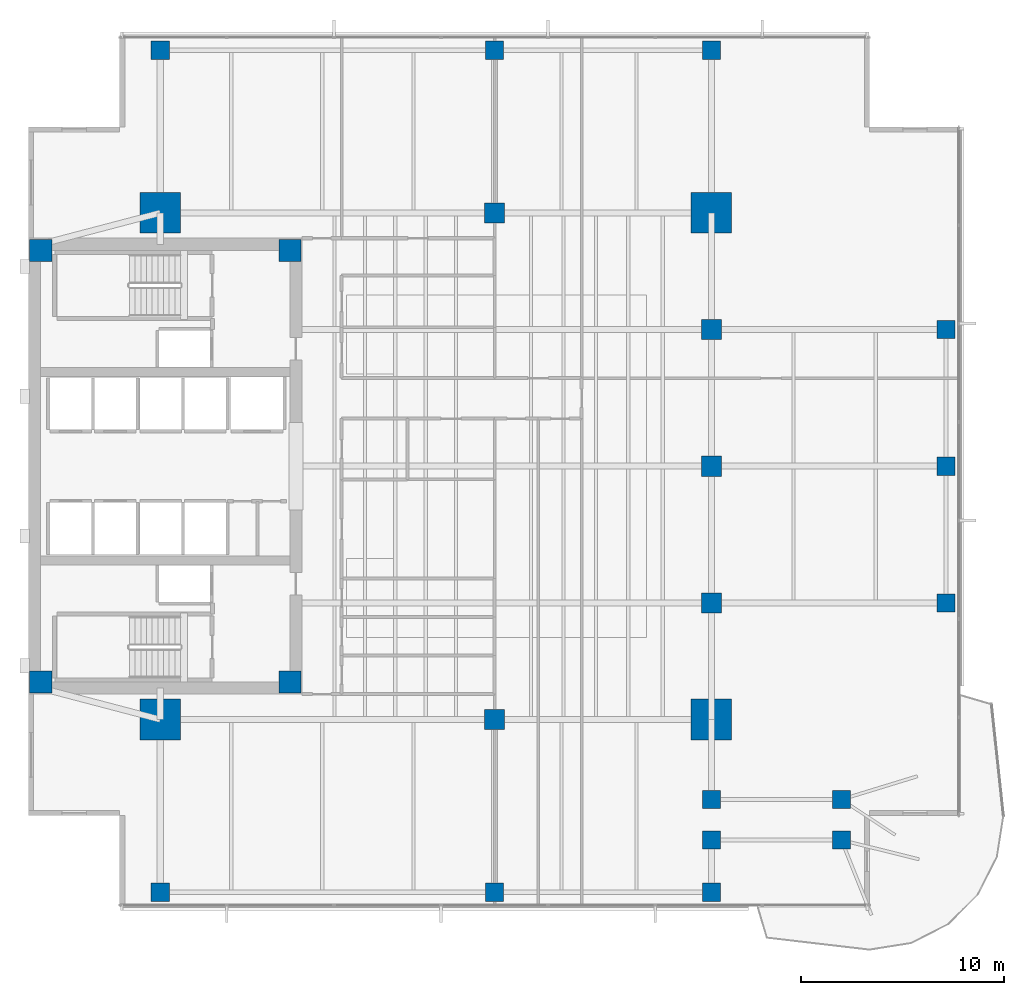
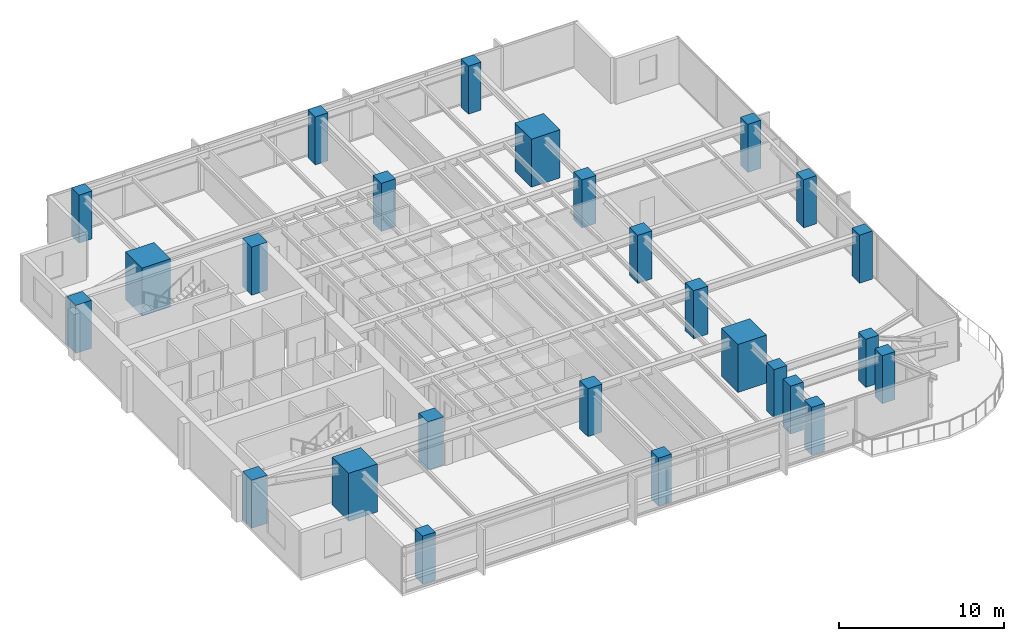
# One storey, part 1 of 14: 26 columns.
"""IFC4 building model written with IfcOpenShell, lengths in metres."""

from ifc_helpers import new_model, si_unit, direction, frame, origin, origin_2d, place, context, subcontext, project, spatial, rectangle, extrude, material, material_profile, profile_set, type_object, element, save


model = new_model("IFC4")

# Units and contexts
model_context = context("Model", 3, precision=1e-05, world=origin(), true_north=direction((0.0, 1.0)))
body_context = subcontext(model_context, "Body", "Model", "MODEL_VIEW")
ifc_project = project(units=[si_unit("LENGTHUNIT", "METRE"), si_unit("AREAUNIT", "SQUARE_METRE"), si_unit("VOLUMEUNIT", "CUBIC_METRE"), si_unit("PLANEANGLEUNIT", "RADIAN"), si_unit("MASSUNIT", "GRAM", prefix="KILO")], contexts=[model_context])

# Site, building, storey
site_placement = place(None, origin())
site = spatial("IfcSite", under=ifc_project, at=site_placement, CompositionType="ELEMENT")
building_placement = place(site_placement, origin())
building = spatial("IfcBuilding", under=site, at=building_placement, Name="Kinhvarn Gate Tower", CompositionType="ELEMENT")
storey_placement = place(building_placement, frame((0.0, 0.0, 159.050048828125)))
storey = spatial("IfcBuildingStorey", under=building, at=storey_placement, Name="L42", CompositionType="ELEMENT", Elevation=159.050048828125)

# Columns
ifc_material = material(Name="Concrete C60/75", Category="concrete")
ifc_material_profile_1 = material_profile(ifc_material, rectangle(XDim=2.0, YDim=2.0, at=origin_2d()), Name="RC 2000x2000")
ifc_profile_set_1 = profile_set([ifc_material_profile_1], Name="Concrete C60/75")
column_type_1 = type_object("IfcColumnType", Name="COL-MC-2000", PredefinedType="COLUMN", material=ifc_profile_set_1)
for number, where, z_axis, x_axis, name in (
    (1, (11.0, 12.75, 0.0), (0.0, 0.0, 1.0), (1.0, 0.0, 0.0), "Column MC1-L42 (MC-20)"),
    (2, (11.0, 37.75, 0.0), (0.0, 0.0, 1.0), (1.0, 0.0, 0.0), "Column MC4-L42 (MC-20)"),
    (3, (38.199951171875, 12.75, 0.0), (0.0, 0.0, 1.0), (1.0, 0.0, 0.0), "Column MC2-L42 (MC-20)"),
    (4, (38.199951171875, 37.75, 0.0), (0.0, 0.0, 1.0), (1.0, 0.0, 0.0), "Column MC3-L42 (MC-20)"),
):
    element("IfcColumn", number, at=place(storey_placement, frame(where, z_axis=z_axis, x_axis=x_axis)), inside=storey, type_object=column_type_1, Name=name, PredefinedType="COLUMN", context=body_context, shape_type="SweptSolid", body=[
        extrude(rectangle(XDim=2.0, YDim=2.0, at=origin_2d()), origin(), (0.0, 0.0, 1.0), 3.550048828125),
    ])
ifc_material_profile_2 = material_profile(ifc_material, rectangle(XDim=1.0, YDim=1.0, at=origin_2d()), Name="RC 1000x1000")
ifc_profile_set_2 = profile_set([ifc_material_profile_2], Name="Concrete C60/75")
column_type_2 = type_object("IfcColumnType", Name="COL-RC-1000", PredefinedType="COLUMN", material=ifc_profile_set_2)
for number, where, z_axis, x_axis, name in (
    (5, (27.5, 12.75, 0.0), (0.0, 0.0, 1.0), (1.0, 0.0, 0.0), "Column SP27-S-L42 (C-100)"),
    (6, (27.5, 37.75, 0.0), (0.0, 0.0, 1.0), (1.0, 0.0, 0.0), "Column SP27-N-L42 (C-100)"),
    (7, (38.199951171875, 18.5, 0.0), (0.0, 0.0, 1.0), (1.0, 0.0, 0.0), "Column SP38-E1-L42 (C-100)"),
    (8, (38.199951171875, 25.25, 0.0), (0.0, 0.0, 1.0), (1.0, 0.0, 0.0), "Column SP38-E2-L42 (C-100)"),
    (9, (38.199951171875, 32.0, 0.0), (0.0, 0.0, 1.0), (1.0, 0.0, 0.0), "Column SP38-E3-L42 (C-100)"),
):
    element("IfcColumn", number, at=place(storey_placement, frame(where, z_axis=z_axis, x_axis=x_axis)), inside=storey, type_object=column_type_2, Name=name, PredefinedType="COLUMN", context=body_context, shape_type="SweptSolid", body=[
        extrude(rectangle(XDim=1.0, YDim=1.0, at=origin_2d()), origin(), (0.0, 0.0, 1.0), 3.550048828125),
    ])
ifc_material_profile_3 = material_profile(ifc_material, rectangle(XDim=0.89990234375, YDim=0.89990234375, at=origin_2d()), Name="RC 900x900")
ifc_profile_set_3 = profile_set([ifc_material_profile_3], Name="Concrete C60/75")
column_type_3 = type_object("IfcColumnType", Name="COL-RC-900", PredefinedType="COLUMN", material=ifc_profile_set_3)
for number, where, z_axis, x_axis, name in (
    (10, (38.199951171875, 6.800048828125, 0.0), (0.0, 0.0, 1.0), (1.0, 0.0, 0.0), "Column CS-ANC68-L42 (C-090)"),
    (11, (38.199951171875, 8.800048828125, 0.0), (0.0, 0.0, 1.0), (1.0, 0.0, 0.0), "Column CS-ANC88-L42 (C-090)"),
    (12, (44.6201171875, 6.800048828125, 0.0), (0.0, 0.0, 1.0), (1.0, 0.0, 0.0), "Column CS-SE2-L42 (C-090)"),
    (13, (44.6201171875, 8.800048828125, 0.0), (0.0, 0.0, 1.0), (1.0, 0.0, 0.0), "Column CS-SE2B-L42 (C-090)"),
    (14, (49.780029296875, 18.5, 0.0), (0.0, 0.0, 1.0), (1.0, 0.0, 0.0), "Column CE-1-L42 (C-090)"),
    (15, (49.780029296875, 25.25, 0.0), (0.0, 0.0, 1.0), (1.0, 0.0, 0.0), "Column CE-2-L42 (C-090)"),
    (16, (49.780029296875, 32.0, 0.0), (0.0, 0.0, 1.0), (1.0, 0.0, 0.0), "Column CE-3-L42 (C-090)"),
    (17, (11.0, 4.219970703125, 0.0), (0.0, 0.0, 1.0), (1.0, 0.0, 0.0), "Column CS-0-L42 (C-090)"),
    (18, (27.5, 4.219970703125, 0.0), (0.0, 0.0, 1.0), (1.0, 0.0, 0.0), "Column CS-1-L42 (C-090)"),
    (19, (38.199951171875, 4.219970703125, 0.0), (0.0, 0.0, 1.0), (1.0, 0.0, 0.0), "Column CS-2-L42 (C-090)"),
    (20, (11.0, 45.780029296875, 0.0), (0.0, 0.0, 1.0), (1.0, 0.0, 0.0), "Column CN-0-L42 (C-090)"),
    (21, (27.5, 45.780029296875, 0.0), (0.0, 0.0, 1.0), (1.0, 0.0, 0.0), "Column CN-1-L42 (C-090)"),
    (22, (38.199951171875, 45.780029296875, 0.0), (0.0, 0.0, 1.0), (1.0, 0.0, 0.0), "Column CN-2-L42 (C-090)"),
):
    element("IfcColumn", number, at=place(storey_placement, frame(where, z_axis=z_axis, x_axis=x_axis)), inside=storey, type_object=column_type_3, Name=name, PredefinedType="COLUMN", context=body_context, shape_type="SweptSolid", body=[
        extrude(rectangle(XDim=0.89990234375, YDim=0.89990234375, at=origin_2d()), origin(), (0.0, 0.0, 1.0), 3.550048828125),
    ])
ifc_material_profile_4 = material_profile(ifc_material, rectangle(XDim=1.10009765625, YDim=1.10009765625, at=origin_2d()), Name="RC 1100x1100")
ifc_profile_set_4 = profile_set([ifc_material_profile_4], Name="Concrete C60/75")
column_type_4 = type_object("IfcColumnType", Name="PIL-RC-1100", PredefinedType="PILASTER", material=ifc_profile_set_4)
for number, where, z_axis, x_axis, name in (
    (23, (5.10009765625, 14.60009765625, 0.0), (0.0, 0.0, 1.0), (1.0, 0.0, 0.0), "Column CC-SW-L42 (CP-110)"),
    (24, (5.10009765625, 35.89990234375, 0.0), (0.0, 0.0, 1.0), (1.0, 0.0, 0.0), "Column CC-NW-L42 (CP-110)"),
    (25, (17.39990234375, 14.60009765625, 0.0), (0.0, 0.0, 1.0), (1.0, 0.0, 0.0), "Column CC-SE-L42 (CP-110)"),
    (26, (17.39990234375, 35.89990234375, 0.0), (0.0, 0.0, 1.0), (1.0, 0.0, 0.0), "Column CC-NE-L42 (CP-110)"),
):
    element("IfcColumn", number, at=place(storey_placement, frame(where, z_axis=z_axis, x_axis=x_axis)), inside=storey, type_object=column_type_4, Name=name, PredefinedType="PILASTER", context=body_context, shape_type="SweptSolid", body=[
        extrude(rectangle(XDim=1.10009765625, YDim=1.10009765625, at=origin_2d()), origin(), (0.0, 0.0, 1.0), 3.550048828125),
    ])

save(model, "model.ifc")
